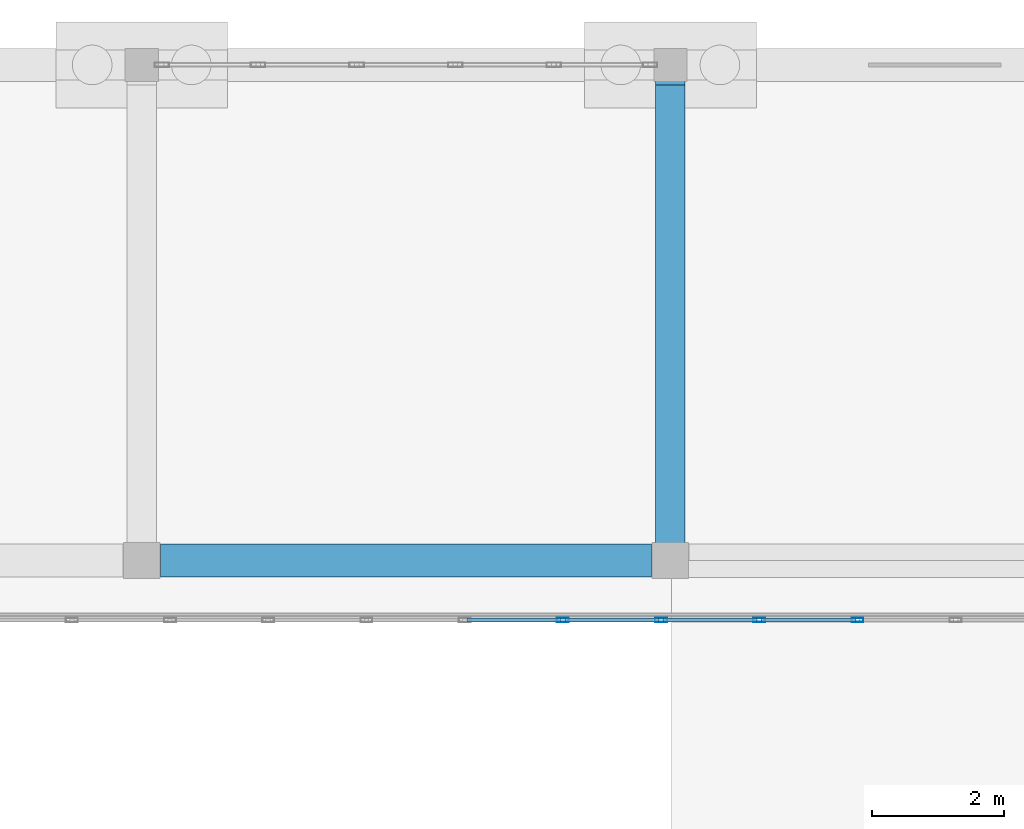
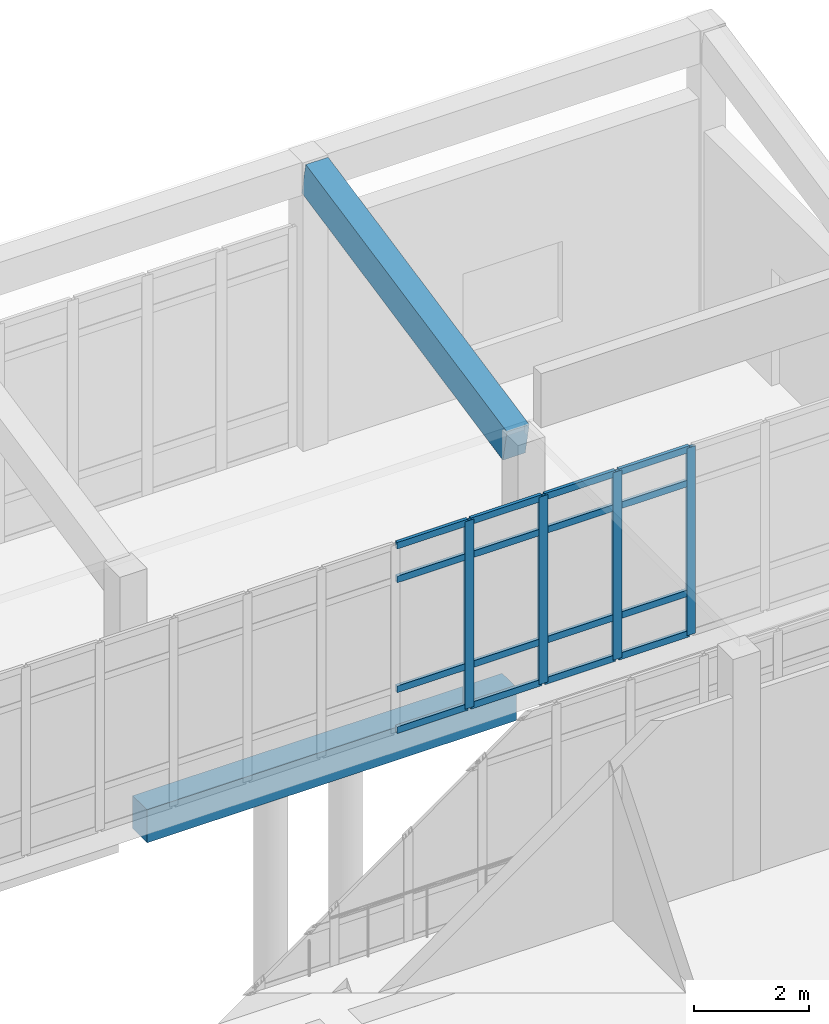
# One storey, part 118 of 173: 20 members, 2 beams, 1 element without a shape of its own.
"""IFC4 building model written with IfcOpenShell, lengths in metres."""

from ifc_helpers import new_model, si_unit, direction, frame, origin, origin_2d, place, context, subcontext, project, spatial, rectangle, hollow_rectangle, extrude, material, layer, layer_set, material_profile, profile_set, type_object, element, aggregate, save


model = new_model("IFC4")

# Units and contexts
model_context = context("Model", 3, precision=1e-05, world=origin(), true_north=direction((0.0, 1.0)))
body_context = subcontext(model_context, "Body", "Model", "MODEL_VIEW")
ifc_project = project(units=[si_unit("LENGTHUNIT", "METRE"), si_unit("AREAUNIT", "SQUARE_METRE"), si_unit("VOLUMEUNIT", "CUBIC_METRE"), si_unit("PLANEANGLEUNIT", "RADIAN"), si_unit("MASSUNIT", "GRAM", prefix="KILO")], contexts=[model_context])

# Site, building, storey
site_placement = place(None, origin())
site = spatial("IfcSite", under=ifc_project, at=site_placement, CompositionType="ELEMENT")
building_placement = place(site_placement, origin())
building = spatial("IfcBuilding", under=site, at=building_placement, Name="Mawjan Specialist Oncology Clinic", CompositionType="ELEMENT")
storey_placement = place(building_placement, origin())
storey = spatial("IfcBuildingStorey", under=building, at=storey_placement, Name="L00", CompositionType="ELEMENT", Elevation=0.0)

# Beam
ifc_material_1 = material(Name="Concrete C40/50", Category="concrete")
ifc_material_profile_1 = material_profile(ifc_material_1, rectangle(XDim=0.449951171875, YDim=0.699951171875, at=origin_2d()), Name="RC BM 450x700", Category="concrete")
ifc_profile_set_1 = profile_set([ifc_material_profile_1], Name="Concrete C40/50")
beam_type_1 = type_object("IfcBeamType", Name="BM-450x700", PredefinedType="BEAM", material=ifc_profile_set_1)
beam_1_placement = place(storey_placement, frame((140.0, 106.06005859375, 4.35009765625), z_axis=(0.0, 0.979626475295, 0.200828207434), x_axis=(-1.0, 0.0, 0.0)))
element("IfcBeam", 1, at=beam_1_placement, inside=storey, type_object=beam_type_1, Name="L00 Roof Framing Beam BM-RF-L00-1279", PredefinedType="BEAM", context=body_context, shape_type="SweptSolid", body=[
    extrude(rectangle(XDim=0.449951171875, YDim=0.699951171875, at=origin_2d()), origin(), (0.0, 0.0, 1.0), 7.150634765625),
])

# Curtain wall, members
ifc_material_2 = material(Name="Unitised spectrally selective aluminium curtain wall", Category="aluminium")
ifc_layer = layer(ifc_material_2, 0.179931640625, Name="Unitised spectrally selective aluminium curtain wall", Category="aluminium")
ifc_layer_set = layer_set([ifc_layer], Name="Unitised spectrally selective aluminium curtain wall")
curtain_wall_type = type_object("IfcCurtainWallType", Name="CW-33", PredefinedType="NOTDEFINED", material=ifc_layer_set)
curtain_wall_placement = place(storey_placement, origin())
curtain_wall = element("IfcCurtainWall", 2, at=curtain_wall_placement, inside=storey, type_object=curtain_wall_type, Name="L00 Unitised Curtain Wall CW-L00-072", PredefinedType="NOTDEFINED")
ifc_material_3 = material(Name="Thermally broken aluminium 6063-T6", Category="aluminium")
ifc_material_profile_2 = material_profile(ifc_material_3, hollow_rectangle(XDim=0.06494140625, YDim=0.179931640625, WallThickness=0.00390625, at=origin_2d()), Name="ALU MULLION 180x65x4", Category="aluminium")
ifc_profile_set_2 = profile_set([ifc_material_profile_2], Name="Thermally broken aluminium 6063-T6")
member_type_1 = type_object("IfcMemberType", Name="CW-M180", PredefinedType="MULLION", material=ifc_profile_set_2)
member_1_placement = place(storey_placement, frame((142.831787109375, 104.89990234375, 0.0), z_axis=(0.0, 0.0, 1.0), x_axis=(0.0, -1.0, 0.0)))
member_1 = element("IfcMember", 3, at=member_1_placement, type_object=member_type_1, Name="CW-33 mullion 4", PredefinedType="MULLION", context=body_context, shape_type="SweptSolid", body=[
    extrude(hollow_rectangle(XDim=0.06494140625, YDim=0.179931640625, WallThickness=0.00390625, at=origin_2d()), origin(), (0.0, 0.0, 1.0), 3.985107421875),
])
member_2_placement = place(storey_placement, frame((141.345703125, 104.89990234375, 0.0), z_axis=(0.0, 0.0, 1.0), x_axis=(0.0, -1.0, 0.0)))
member_2 = element("IfcMember", 4, at=member_2_placement, type_object=member_type_1, Name="CW-33 mullion 5", PredefinedType="MULLION", context=body_context, shape_type="SweptSolid", body=[
    extrude(hollow_rectangle(XDim=0.06494140625, YDim=0.179931640625, WallThickness=0.00390625, at=origin_2d()), origin(), (0.0, 0.0, 1.0), 3.985107421875),
])
member_3_placement = place(storey_placement, frame((139.859619140625, 104.89990234375, 0.0), z_axis=(0.0, 0.0, 1.0), x_axis=(0.0, -1.0, 0.0)))
member_3 = element("IfcMember", 5, at=member_3_placement, type_object=member_type_1, Name="CW-33 mullion 6", PredefinedType="MULLION", context=body_context, shape_type="SweptSolid", body=[
    extrude(hollow_rectangle(XDim=0.06494140625, YDim=0.179931640625, WallThickness=0.00390625, at=origin_2d()), origin(), (0.0, 0.0, 1.0), 3.985107421875),
])
member_4_placement = place(storey_placement, frame((138.37353515625, 104.89990234375, 0.0), z_axis=(0.0, 0.0, 1.0), x_axis=(0.0, -1.0, 0.0)))
member_4 = element("IfcMember", 6, at=member_4_placement, type_object=member_type_1, Name="CW-33 mullion 7", PredefinedType="MULLION", context=body_context, shape_type="SweptSolid", body=[
    extrude(hollow_rectangle(XDim=0.06494140625, YDim=0.179931640625, WallThickness=0.00390625, at=origin_2d()), origin(), (0.0, 0.0, 1.0), 3.985107421875),
])
ifc_material_4 = material(Name="Thermally broken aluminium 6063-T6", Category="aluminium")
ifc_material_profile_3 = material_profile(ifc_material_4, hollow_rectangle(XDim=0.06494140625, YDim=0.139892578125, WallThickness=0.00390625, at=origin_2d()), Name="ALU TRANSOM 140x65x4", Category="aluminium")
ifc_profile_set_3 = profile_set([ifc_material_profile_3], Name="Thermally broken aluminium 6063-T6")
member_type_2 = type_object("IfcMemberType", Name="CW-T140", PredefinedType="USERDEFINED", material=ifc_profile_set_3)
member_5_placement = place(storey_placement, frame((142.79931640625, 104.89990234375, 0.032470703125), z_axis=(-1.0, 0.0, 0.0), x_axis=(0.0, -1.0, 0.0)))
member_5 = element("IfcMember", 7, at=member_5_placement, type_object=member_type_2, Name="CW-33 transom 4.1", ObjectType="TRANSOM", PredefinedType="USERDEFINED", context=body_context, shape_type="SweptSolid", body=[
    extrude(hollow_rectangle(XDim=0.06494140625, YDim=0.139892578125, WallThickness=0.00390625, at=origin_2d()), origin(), (0.0, 0.0, 1.0), 1.421142578125),
])
member_6_placement = place(storey_placement, frame((142.79931640625, 104.89990234375, 0.89990234375), z_axis=(-1.0, 0.0, 0.0), x_axis=(0.0, -1.0, 0.0)))
member_6 = element("IfcMember", 8, at=member_6_placement, type_object=member_type_2, Name="CW-33 transom 4.2", ObjectType="TRANSOM", PredefinedType="USERDEFINED", context=body_context, shape_type="SweptSolid", body=[
    extrude(hollow_rectangle(XDim=0.06494140625, YDim=0.139892578125, WallThickness=0.00390625, at=origin_2d()), origin(), (0.0, 0.0, 1.0), 1.421142578125),
])
member_7_placement = place(storey_placement, frame((142.79931640625, 104.89990234375, 3.235107421875), z_axis=(-1.0, 0.0, 0.0), x_axis=(0.0, -1.0, 0.0)))
member_7 = element("IfcMember", 9, at=member_7_placement, type_object=member_type_2, Name="CW-33 transom 4.3", ObjectType="TRANSOM", PredefinedType="USERDEFINED", context=body_context, shape_type="SweptSolid", body=[
    extrude(hollow_rectangle(XDim=0.06494140625, YDim=0.139892578125, WallThickness=0.00390625, at=origin_2d()), origin(), (0.0, 0.0, 1.0), 1.421142578125),
])
member_8_placement = place(storey_placement, frame((142.79931640625, 104.89990234375, 3.952392578125), z_axis=(-1.0, 0.0, 0.0), x_axis=(0.0, -1.0, 0.0)))
member_8 = element("IfcMember", 10, at=member_8_placement, type_object=member_type_2, Name="CW-33 transom 4.4", ObjectType="TRANSOM", PredefinedType="USERDEFINED", context=body_context, shape_type="SweptSolid", body=[
    extrude(hollow_rectangle(XDim=0.06494140625, YDim=0.139892578125, WallThickness=0.00390625, at=origin_2d()), origin(), (0.0, 0.0, 1.0), 1.421142578125),
])
member_9_placement = place(storey_placement, frame((141.313232421875, 104.89990234375, 0.032470703125), z_axis=(-1.0, 0.0, 0.0), x_axis=(0.0, -1.0, 0.0)))
member_9 = element("IfcMember", 11, at=member_9_placement, type_object=member_type_2, Name="CW-33 transom 5.1", ObjectType="TRANSOM", PredefinedType="USERDEFINED", context=body_context, shape_type="SweptSolid", body=[
    extrude(hollow_rectangle(XDim=0.06494140625, YDim=0.139892578125, WallThickness=0.00390625, at=origin_2d()), origin(), (0.0, 0.0, 1.0), 1.421142578125),
])
member_10_placement = place(storey_placement, frame((141.313232421875, 104.89990234375, 0.89990234375), z_axis=(-1.0, 0.0, 0.0), x_axis=(0.0, -1.0, 0.0)))
member_10 = element("IfcMember", 12, at=member_10_placement, type_object=member_type_2, Name="CW-33 transom 5.2", ObjectType="TRANSOM", PredefinedType="USERDEFINED", context=body_context, shape_type="SweptSolid", body=[
    extrude(hollow_rectangle(XDim=0.06494140625, YDim=0.139892578125, WallThickness=0.00390625, at=origin_2d()), origin(), (0.0, 0.0, 1.0), 1.421142578125),
])
member_11_placement = place(storey_placement, frame((141.313232421875, 104.89990234375, 3.235107421875), z_axis=(-1.0, 0.0, 0.0), x_axis=(0.0, -1.0, 0.0)))
member_11 = element("IfcMember", 13, at=member_11_placement, type_object=member_type_2, Name="CW-33 transom 5.3", ObjectType="TRANSOM", PredefinedType="USERDEFINED", context=body_context, shape_type="SweptSolid", body=[
    extrude(hollow_rectangle(XDim=0.06494140625, YDim=0.139892578125, WallThickness=0.00390625, at=origin_2d()), origin(), (0.0, 0.0, 1.0), 1.421142578125),
])
member_12_placement = place(storey_placement, frame((141.313232421875, 104.89990234375, 3.952392578125), z_axis=(-1.0, 0.0, 0.0), x_axis=(0.0, -1.0, 0.0)))
member_12 = element("IfcMember", 14, at=member_12_placement, type_object=member_type_2, Name="CW-33 transom 5.4", ObjectType="TRANSOM", PredefinedType="USERDEFINED", context=body_context, shape_type="SweptSolid", body=[
    extrude(hollow_rectangle(XDim=0.06494140625, YDim=0.139892578125, WallThickness=0.00390625, at=origin_2d()), origin(), (0.0, 0.0, 1.0), 1.421142578125),
])
member_13_placement = place(storey_placement, frame((139.8271484375, 104.89990234375, 0.032470703125), z_axis=(-1.0, 0.0, 0.0), x_axis=(0.0, -1.0, 0.0)))
member_13 = element("IfcMember", 15, at=member_13_placement, type_object=member_type_2, Name="CW-33 transom 6.1", ObjectType="TRANSOM", PredefinedType="USERDEFINED", context=body_context, shape_type="SweptSolid", body=[
    extrude(hollow_rectangle(XDim=0.06494140625, YDim=0.139892578125, WallThickness=0.00390625, at=origin_2d()), origin(), (0.0, 0.0, 1.0), 1.421142578125),
])
member_14_placement = place(storey_placement, frame((139.8271484375, 104.89990234375, 0.89990234375), z_axis=(-1.0, 0.0, 0.0), x_axis=(0.0, -1.0, 0.0)))
member_14 = element("IfcMember", 16, at=member_14_placement, type_object=member_type_2, Name="CW-33 transom 6.2", ObjectType="TRANSOM", PredefinedType="USERDEFINED", context=body_context, shape_type="SweptSolid", body=[
    extrude(hollow_rectangle(XDim=0.06494140625, YDim=0.139892578125, WallThickness=0.00390625, at=origin_2d()), origin(), (0.0, 0.0, 1.0), 1.421142578125),
])
member_15_placement = place(storey_placement, frame((139.8271484375, 104.89990234375, 3.235107421875), z_axis=(-1.0, 0.0, 0.0), x_axis=(0.0, -1.0, 0.0)))
member_15 = element("IfcMember", 17, at=member_15_placement, type_object=member_type_2, Name="CW-33 transom 6.3", ObjectType="TRANSOM", PredefinedType="USERDEFINED", context=body_context, shape_type="SweptSolid", body=[
    extrude(hollow_rectangle(XDim=0.06494140625, YDim=0.139892578125, WallThickness=0.00390625, at=origin_2d()), origin(), (0.0, 0.0, 1.0), 1.421142578125),
])
member_16_placement = place(storey_placement, frame((139.8271484375, 104.89990234375, 3.952392578125), z_axis=(-1.0, 0.0, 0.0), x_axis=(0.0, -1.0, 0.0)))
member_16 = element("IfcMember", 18, at=member_16_placement, type_object=member_type_2, Name="CW-33 transom 6.4", ObjectType="TRANSOM", PredefinedType="USERDEFINED", context=body_context, shape_type="SweptSolid", body=[
    extrude(hollow_rectangle(XDim=0.06494140625, YDim=0.139892578125, WallThickness=0.00390625, at=origin_2d()), origin(), (0.0, 0.0, 1.0), 1.421142578125),
])
member_17_placement = place(storey_placement, frame((138.341064453125, 104.89990234375, 0.032470703125), z_axis=(-1.0, 0.0, 0.0), x_axis=(0.0, -1.0, 0.0)))
member_17 = element("IfcMember", 19, at=member_17_placement, type_object=member_type_2, Name="CW-33 transom 7.1", ObjectType="TRANSOM", PredefinedType="USERDEFINED", context=body_context, shape_type="SweptSolid", body=[
    extrude(hollow_rectangle(XDim=0.06494140625, YDim=0.139892578125, WallThickness=0.00390625, at=origin_2d()), origin(), (0.0, 0.0, 1.0), 1.421142578125),
])
member_18_placement = place(storey_placement, frame((138.341064453125, 104.89990234375, 0.89990234375), z_axis=(-1.0, 0.0, 0.0), x_axis=(0.0, -1.0, 0.0)))
member_18 = element("IfcMember", 20, at=member_18_placement, type_object=member_type_2, Name="CW-33 transom 7.2", ObjectType="TRANSOM", PredefinedType="USERDEFINED", context=body_context, shape_type="SweptSolid", body=[
    extrude(hollow_rectangle(XDim=0.06494140625, YDim=0.139892578125, WallThickness=0.00390625, at=origin_2d()), origin(), (0.0, 0.0, 1.0), 1.421142578125),
])
member_19_placement = place(storey_placement, frame((138.341064453125, 104.89990234375, 3.235107421875), z_axis=(-1.0, 0.0, 0.0), x_axis=(0.0, -1.0, 0.0)))
member_19 = element("IfcMember", 21, at=member_19_placement, type_object=member_type_2, Name="CW-33 transom 7.3", ObjectType="TRANSOM", PredefinedType="USERDEFINED", context=body_context, shape_type="SweptSolid", body=[
    extrude(hollow_rectangle(XDim=0.06494140625, YDim=0.139892578125, WallThickness=0.00390625, at=origin_2d()), origin(), (0.0, 0.0, 1.0), 1.421142578125),
])
member_20_placement = place(storey_placement, frame((138.341064453125, 104.89990234375, 3.952392578125), z_axis=(-1.0, 0.0, 0.0), x_axis=(0.0, -1.0, 0.0)))
member_20 = element("IfcMember", 22, at=member_20_placement, type_object=member_type_2, Name="CW-33 transom 7.4", ObjectType="TRANSOM", PredefinedType="USERDEFINED", context=body_context, shape_type="SweptSolid", body=[
    extrude(hollow_rectangle(XDim=0.06494140625, YDim=0.139892578125, WallThickness=0.00390625, at=origin_2d()), origin(), (0.0, 0.0, 1.0), 1.421142578125),
])
aggregate(curtain_wall, [member_1, member_2, member_3, member_4, member_5, member_6, member_7, member_8, member_9, member_10, member_11, member_12, member_13, member_14, member_15, member_16, member_17, member_18, member_19, member_20])

# Beam
ifc_material_5 = material(Name="Concrete C45/55", Category="concrete")
ifc_material_profile_4 = material_profile(ifc_material_5, rectangle(XDim=0.5, YDim=0.699951171875, at=origin_2d()), Name="RC BM 500x700", Category="concrete")
ifc_profile_set_4 = profile_set([ifc_material_profile_4], Name="Concrete C45/55")
beam_type_2 = type_object("IfcBeamType", Name="SP-500x700", PredefinedType="SPANDREL", material=ifc_profile_set_4)
beam_2_placement = place(storey_placement, frame((132.284912109375, 105.800048828125, -0.800048828125), z_axis=(1.0, 0.0, 0.0), x_axis=(0.0, 1.0, 0.0)))
element("IfcBeam", 23, at=beam_2_placement, inside=storey, type_object=beam_type_2, Name="L00 Spandrel Beam BM-L00-0098", PredefinedType="SPANDREL", context=body_context, shape_type="SweptSolid", body=[
    extrude(rectangle(XDim=0.5, YDim=0.699951171875, at=origin_2d()), origin(), (0.0, 0.0, 1.0), 7.43017578125),
])

save(model, "model.ifc")
